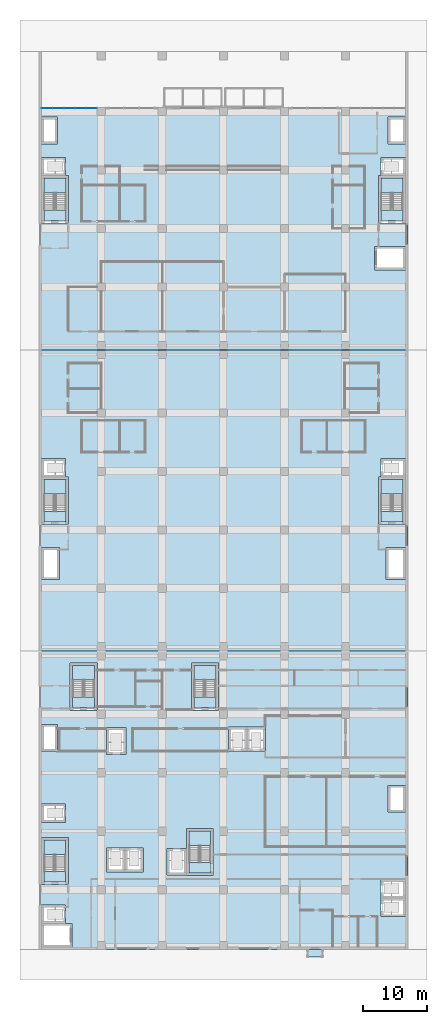
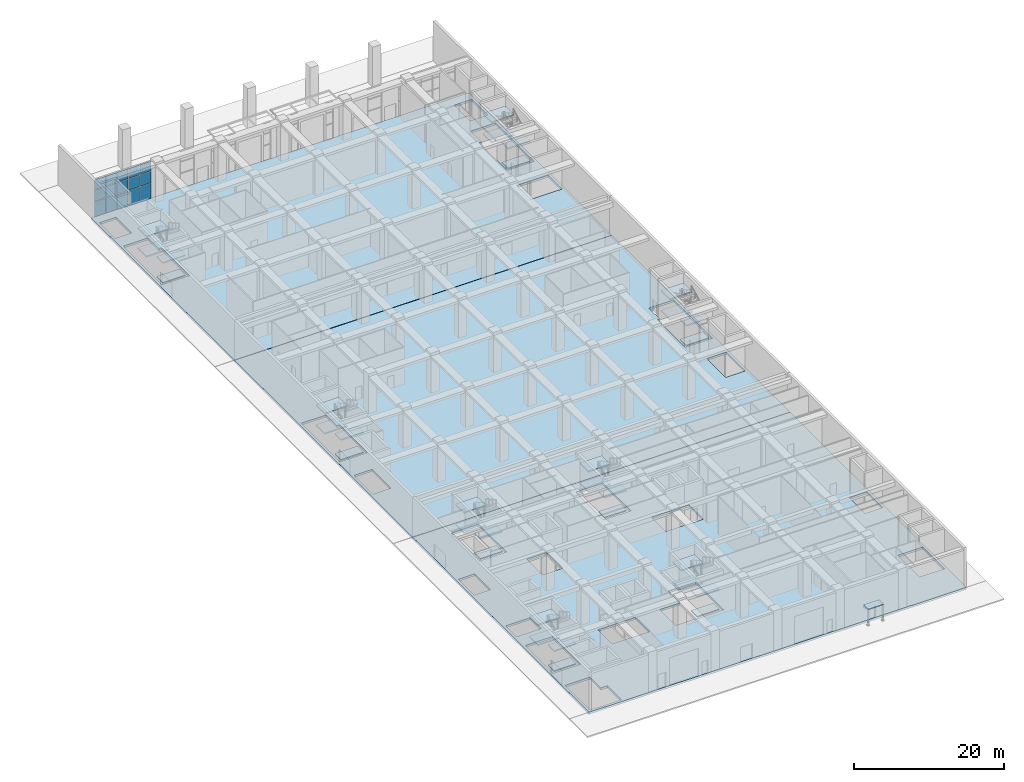
# One storey, part 12 of 45: 35 slabs, 16 plates, 9 elements without a shape of their own.
"""IFC4 building model written with IfcOpenShell, lengths in metres."""

import ifcopenshell
import ifcopenshell.guid

model = None  # the IFC model being written
_history = None  # IfcOwnerHistory: only IFC2X3 demands one
_inside = {}  # id of a spatial element -> (the spatial element, [elements in it])
_under = {}  # id of a project, library or spatial element -> (it, [spatial elements below it])
_declared = {}  # id of a project -> (the project, [libraries it declares])
_typed = {}  # id of a type object -> (the type object, [elements of that type])
_made_of = {}  # id of a material, layer set ... -> (it, [elements and type objects made of it])


def new_model(schema):
    """Start an empty IFC model of exactly this schema.

    Asked for "IFC4X3", IfcOpenShell would pick the latest addendum, in which some entities
    have other attributes; the version numbers below select the first issue.
    IFC2X3 requires an IfcOwnerHistory on every rooted entity: one is made here for all.
    """
    global model, _history
    if schema == "IFC4X3":
        model = ifcopenshell.file(schema_version=(4, 3, 0, 0))
    else:
        model = ifcopenshell.file(schema=schema)
    _inside.clear()
    _under.clear()
    _declared.clear()
    _typed.clear()
    _made_of.clear()
    _history = None
    if model.schema == "IFC2X3":
        org = make("IfcOrganization", Name="unknown")
        user = make(
            "IfcPersonAndOrganization",
            ThePerson=make("IfcPerson", FamilyName="unknown"),
            TheOrganization=org,
        )
        app = make(
            "IfcApplication",
            ApplicationDeveloper=org,
            Version="unknown",
            ApplicationFullName="unknown",
            ApplicationIdentifier="unknown",
        )
        _history = make(
            "IfcOwnerHistory",
            OwningUser=user,
            OwningApplication=app,
            ChangeAction="ADDED",
            CreationDate=0,
        )
    return model


def make(cls, **values):
    """One entity of the class cls with the attributes given. An attribute that is None is left unset."""
    return model.create_entity(
        cls, **{name: value for name, value in values.items() if value is not None}
    )


def rooted(cls, **values):
    """An entity with a GlobalId (a new one), such as an element, a storey or a relation."""
    return make(cls, GlobalId=ifcopenshell.guid.new(), OwnerHistory=_history, **values)


def si_unit(unit_type, name, prefix=None):
    """IfcSIUnit, for example si_unit("LENGTHUNIT", "METRE", prefix="MILLI")."""
    return make("IfcSIUnit", UnitType=unit_type, Prefix=prefix, Name=name)


def assignment(units):
    """IfcUnitAssignment: the units of a project."""
    return None if units is None else make("IfcUnitAssignment", Units=units)


def point(xyz):
    """IfcCartesianPoint."""
    return None if xyz is None else make("IfcCartesianPoint", Coordinates=xyz)


def direction(xyz):
    """IfcDirection."""
    return None if xyz is None else make("IfcDirection", DirectionRatios=xyz)


def frame(location, z_axis=None, x_axis=None):
    """IfcAxis2Placement3D, a coordinate frame: its origin and axes. An axis left out is left unset."""
    return make(
        "IfcAxis2Placement3D",
        Location=point(location),
        Axis=direction(z_axis),
        RefDirection=direction(x_axis),
    )


def frame_2d(location, x_axis=None):
    """IfcAxis2Placement2D, a coordinate frame in the plane: its origin and x axis."""
    return make(
        "IfcAxis2Placement2D", Location=point(location), RefDirection=direction(x_axis)
    )


def origin():
    """The frame at (0, 0, 0) with its axes left unset."""
    return frame((0.0, 0.0, 0.0))


def origin_2d():
    """The frame at (0, 0) in the plane with its x axis left unset."""
    return frame_2d((0.0, 0.0))


def place(relative_to, where):
    """IfcLocalPlacement: puts the frame where relative to a parent placement (None: the world)."""
    return make(
        "IfcLocalPlacement", PlacementRelTo=relative_to, RelativePlacement=where
    )


def context(
    kind, dimensions, precision=None, world=None, true_north=None, identifier=None
):
    """IfcGeometricRepresentationContext, for example the 3D "Model" context."""
    return make(
        "IfcGeometricRepresentationContext",
        ContextIdentifier=identifier,
        ContextType=kind,
        CoordinateSpaceDimension=dimensions,
        Precision=precision,
        WorldCoordinateSystem=world,
        TrueNorth=true_north,
    )


def subcontext(parent, identifier, kind, view, scale=None):
    """IfcGeometricRepresentationSubContext, for example "Body" below "Model"."""
    return make(
        "IfcGeometricRepresentationSubContext",
        ContextIdentifier=identifier,
        ContextType=kind,
        ParentContext=parent,
        TargetScale=scale,
        TargetView=view,
    )


def project(units=None, contexts=None):
    """IfcProject with its units and contexts."""
    return rooted(
        "IfcProject",
        Name="project",
        RepresentationContexts=contexts,
        UnitsInContext=assignment(units),
    )


def spatial(cls, under=None, at=None, **own):
    """A site, building, storey or space (cls), placed at a placement, below another one or the project."""
    s = rooted(cls, ObjectPlacement=at, **own)
    if under is not None:
        _under.setdefault(under.id(), (under, []))[1].append(s)
    return s


def polyline(points):
    """IfcPolyline through the points."""
    return make("IfcPolyline", Points=[point(p) for p in points])


def profile(cls, at=None, kind="AREA", **sizes):
    """A parametric profile (cls). Its sizes go by their IFC names, for example OverallWidth=200.0."""
    return make(cls, ProfileType=kind, Position=at, **sizes)


def rectangle(**sizes):
    """IfcRectangleProfileDef."""
    return profile("IfcRectangleProfileDef", **sizes)


def outline(outer, holes=None, kind="AREA"):
    """IfcArbitraryClosedProfileDef: a profile drawn as a closed curve; with holes, ...WithVoids."""
    if holes is None:
        return make("IfcArbitraryClosedProfileDef", ProfileType=kind, OuterCurve=outer)
    return make(
        "IfcArbitraryProfileDefWithVoids",
        ProfileType=kind,
        OuterCurve=outer,
        InnerCurves=holes,
    )


def extrude(swept, where, along, depth):
    """IfcExtrudedAreaSolid: the profile swept, set in the frame where, extruded along a direction by depth."""
    return make(
        "IfcExtrudedAreaSolid",
        SweptArea=swept,
        Position=where,
        ExtrudedDirection=direction(along),
        Depth=depth,
    )


def shape(context_of_items, identifier, shape_type, items):
    """IfcShapeRepresentation: the items that make up one representation, for example the "Body"."""
    return make(
        "IfcShapeRepresentation",
        ContextOfItems=context_of_items,
        RepresentationIdentifier=identifier,
        RepresentationType=shape_type,
        Items=items,
    )


def material(Name=None, Category=None):
    """IfcMaterial."""
    return make("IfcMaterial", Name=Name, Category=Category)


def layer(
    of_material, thickness, ventilated=None, Name=None, Category=None, Priority=None
):
    """IfcMaterialLayer: one layer of a wall or slab, of a material (None: an air gap)."""
    return make(
        "IfcMaterialLayer",
        Material=of_material,
        LayerThickness=thickness,
        IsVentilated=ventilated,
        Name=Name,
        Category=Category,
        Priority=Priority,
    )


def layer_set(layers, Name=None):
    """IfcMaterialLayerSet."""
    return make("IfcMaterialLayerSet", MaterialLayers=layers, LayerSetName=Name)


def made_of(thing, what):
    """Note that an element or type object is made of a material, layer set ...; save() writes the relation."""
    if what is not None:
        _made_of.setdefault(what.id(), (what, []))[1].append(thing)
    return thing


def type_object(cls, material=None, **own):
    """A type object (cls), such as IfcWallType, which elements share."""
    return made_of(rooted(cls, **own), material)


def element(
    cls,
    number,
    at=None,
    inside=None,
    cuts=None,
    type_object=None,
    material=None,
    context=None,
    identifier="Body",
    shape_type=None,
    held_by="IfcProductDefinitionShape",
    body=None,
    shapes=None,
    **own,
):
    """One element of the class cls, such as IfcWall. Its Tag is "e" and its number.

    at: its placement. inside: the storey or other place that contains it. cuts: it is an
    opening in that element (IfcRelVoidsElement). A single representation is given by context,
    identifier, shape_type and body (its items); several are given by shapes. held_by: the class
    of the entity that holds the representations. save() writes the other relations.
    """
    e = rooted(cls, Tag="e%d" % number, ObjectPlacement=at, **own)
    if body is not None:
        shapes = [shape(context, identifier, shape_type, body)]
    if shapes is not None:
        e.Representation = make(held_by, Representations=shapes)
    if inside is not None:
        _inside.setdefault(inside.id(), (inside, []))[1].append(e)
    if cuts is not None:
        rooted(
            "IfcRelVoidsElement", RelatingBuildingElement=cuts, RelatedOpeningElement=e
        )
    if type_object is not None:
        _typed.setdefault(type_object.id(), (type_object, []))[1].append(e)
    return made_of(e, material)


def aggregate(whole, parts):
    """IfcRelAggregates: a whole, such as a stair, and the parts it consists of."""
    return rooted("IfcRelAggregates", RelatingObject=whole, RelatedObjects=parts)


def save(model, path):
    """Write the relations noted so far, then the file.

    IfcRelAggregates (storeys below a building ...), IfcRelContainedInSpatialStructure (elements
    in a storey), IfcRelDefinesByType, IfcRelAssociatesMaterial and IfcRelDeclares: one each for
    every whole, place, type object, material and project.
    """
    for whole, parts in _under.values():
        aggregate(whole, parts)
    for where, things in _inside.values():
        rooted(
            "IfcRelContainedInSpatialStructure",
            RelatedElements=things,
            RelatingStructure=where,
        )
    for kind, things in _typed.values():
        rooted("IfcRelDefinesByType", RelatedObjects=things, RelatingType=kind)
    for what, things in _made_of.values():
        rooted("IfcRelAssociatesMaterial", RelatedObjects=things, RelatingMaterial=what)
    for by, libraries in _declared.values():
        rooted("IfcRelDeclares", RelatingContext=by, RelatedDefinitions=libraries)
    model.write(path)


model = new_model("IFC4")

# Units and contexts
model_context = context("Model", 3, precision=1e-05, world=origin(), true_north=direction((0.0, 1.0)))
body_context = subcontext(model_context, "Body", "Model", "MODEL_VIEW")
ifc_project = project(units=[si_unit("LENGTHUNIT", "METRE"), si_unit("AREAUNIT", "SQUARE_METRE"), si_unit("VOLUMEUNIT", "CUBIC_METRE"), si_unit("PLANEANGLEUNIT", "RADIAN"), si_unit("MASSUNIT", "GRAM", prefix="KILO")], contexts=[model_context])

# Site, building, storey
site_placement = place(None, origin())
site = spatial("IfcSite", under=ifc_project, at=site_placement, CompositionType="ELEMENT")
building_placement = place(site_placement, origin())
building = spatial("IfcBuilding", under=site, at=building_placement, Name="Nzadi Deep Aquarium and Research Tower", CompositionType="ELEMENT")
storey_placement = place(building_placement, origin())
storey = spatial("IfcBuildingStorey", under=building, at=storey_placement, Name="G", CompositionType="ELEMENT", Elevation=0.0)

# Plate
ifc_material_1 = material(Name="Aluminium composite panel, dark graphite", Category="aluminium")
ifc_layer_1 = layer(ifc_material_1, 0.14990234375)
ifc_layer_set_1 = layer_set([ifc_layer_1], Name="Aluminium composite panel, dark graphite")
plate_type_1 = type_object("IfcPlateType", Name="Canopy plate aluminium composite graphite 150", PredefinedType="SHEET", material=ifc_layer_set_1)
plate_1_placement = place(storey_placement, frame((43.199951171875, -0.800048828125, 2.550048828125), z_axis=(0.0, 0.0, 1.0), x_axis=(1.0, 0.0, 0.0)))
element("IfcPlate", 1, at=plate_1_placement, inside=storey, type_object=plate_type_1, Name="Staff entrance canopy", PredefinedType="SHEET", context=body_context, shape_type="SweptSolid", body=[
    extrude(rectangle(XDim=2.39990234375, YDim=1.199951171875, at=origin_2d()), origin(), (0.0, 0.0, 1.0), 0.14990234375),
])

# Curtain wall, plates
ifc_material_2 = material(Name="Aluminium stick frame", Category="aluminium")
ifc_layer_2 = layer(ifc_material_2, 0.25)
ifc_layer_set_2 = layer_set([ifc_layer_2], Name="Aluminium stick frame")
curtain_wall_type = type_object("IfcCurtainWallType", Name="Curtain wall Stick 250", PredefinedType="NOTDEFINED", material=ifc_layer_set_2)
curtain_wall_placement = place(storey_placement, origin())
curtain_wall = element("IfcCurtainWall", 2, at=curtain_wall_placement, inside=storey, type_object=curtain_wall_type, Name="Lobby stick glazing G", PredefinedType="NOTDEFINED")
ifc_material_3 = material(Name="Glass, deep ocean tint", Category="glass")
ifc_layer_3 = layer(ifc_material_3, 0.031982421875)
ifc_layer_set_3 = layer_set([ifc_layer_3], Name="Glass, deep ocean tint")
plate_type_2 = type_object("IfcPlateType", Name="Glazing panel 32 Stick", PredefinedType="CURTAIN_PANEL", material=ifc_layer_set_3)
plate_2_placement = place(storey_placement, frame((1.090087890625, 132.125, 0.06005859375), z_axis=(0.0, 0.0, 1.0), x_axis=(1.0, 0.0, 0.0)))
plate_2 = element("IfcPlate", 3, at=plate_2_placement, type_object=plate_type_2, Name="CW225 panel 1.1", PredefinedType="CURTAIN_PANEL", context=body_context, shape_type="SweptSolid", body=[
    extrude(rectangle(XDim=1.659912109375, YDim=0.031982421875, at=origin_2d()), origin(), (0.0, 0.0, 1.0), 2.4599609375),
])
plate_3_placement = place(storey_placement, frame((1.090087890625, 132.125, 2.580078125), z_axis=(0.0, 0.0, 1.0), x_axis=(1.0, 0.0, 0.0)))
plate_3 = element("IfcPlate", 4, at=plate_3_placement, type_object=plate_type_2, Name="CW225 panel 1.2", PredefinedType="CURTAIN_PANEL", context=body_context, shape_type="SweptSolid", body=[
    extrude(rectangle(XDim=1.659912109375, YDim=0.031982421875, at=origin_2d()), origin(), (0.0, 0.0, 1.0), 1.818115234375),
])
plate_4_placement = place(storey_placement, frame((1.090087890625, 132.125, 4.4580078125), z_axis=(0.0, 0.0, 1.0), x_axis=(1.0, 0.0, 0.0)))
plate_4 = element("IfcPlate", 5, at=plate_4_placement, type_object=plate_type_2, Name="CW225 panel 1.3", PredefinedType="CURTAIN_PANEL", context=body_context, shape_type="SweptSolid", body=[
    extrude(rectangle(XDim=1.659912109375, YDim=0.031982421875, at=origin_2d()), origin(), (0.0, 0.0, 1.0), 1.632080078125),
])
plate_5_placement = place(storey_placement, frame((2.824951171875, 132.125, 0.06005859375), z_axis=(0.0, 0.0, 1.0), x_axis=(1.0, 0.0, 0.0)))
plate_5 = element("IfcPlate", 6, at=plate_5_placement, type_object=plate_type_2, Name="CW225 panel 2.1", PredefinedType="CURTAIN_PANEL", context=body_context, shape_type="SweptSolid", body=[
    extrude(rectangle(XDim=1.68994140625, YDim=0.031982421875, at=origin_2d()), origin(), (0.0, 0.0, 1.0), 2.4599609375),
])
plate_6_placement = place(storey_placement, frame((2.824951171875, 132.125, 2.580078125), z_axis=(0.0, 0.0, 1.0), x_axis=(1.0, 0.0, 0.0)))
plate_6 = element("IfcPlate", 7, at=plate_6_placement, type_object=plate_type_2, Name="CW225 panel 2.2", PredefinedType="CURTAIN_PANEL", context=body_context, shape_type="SweptSolid", body=[
    extrude(rectangle(XDim=1.68994140625, YDim=0.031982421875, at=origin_2d()), origin(), (0.0, 0.0, 1.0), 1.818115234375),
])
plate_7_placement = place(storey_placement, frame((2.824951171875, 132.125, 4.4580078125), z_axis=(0.0, 0.0, 1.0), x_axis=(1.0, 0.0, 0.0)))
plate_7 = element("IfcPlate", 8, at=plate_7_placement, type_object=plate_type_2, Name="CW225 panel 2.3", PredefinedType="CURTAIN_PANEL", context=body_context, shape_type="SweptSolid", body=[
    extrude(rectangle(XDim=1.68994140625, YDim=0.031982421875, at=origin_2d()), origin(), (0.0, 0.0, 1.0), 1.632080078125),
])
plate_8_placement = place(storey_placement, frame((4.574951171875, 132.125, 0.06005859375), z_axis=(0.0, 0.0, 1.0), x_axis=(1.0, 0.0, 0.0)))
plate_8 = element("IfcPlate", 9, at=plate_8_placement, type_object=plate_type_2, Name="CW225 panel 3.1", PredefinedType="CURTAIN_PANEL", context=body_context, shape_type="SweptSolid", body=[
    extrude(rectangle(XDim=1.68994140625, YDim=0.031982421875, at=origin_2d()), origin(), (0.0, 0.0, 1.0), 2.4599609375),
])
plate_9_placement = place(storey_placement, frame((4.574951171875, 132.125, 2.580078125), z_axis=(0.0, 0.0, 1.0), x_axis=(1.0, 0.0, 0.0)))
plate_9 = element("IfcPlate", 10, at=plate_9_placement, type_object=plate_type_2, Name="CW225 panel 3.2", PredefinedType="CURTAIN_PANEL", context=body_context, shape_type="SweptSolid", body=[
    extrude(rectangle(XDim=1.68994140625, YDim=0.031982421875, at=origin_2d()), origin(), (0.0, 0.0, 1.0), 1.818115234375),
])
plate_10_placement = place(storey_placement, frame((4.574951171875, 132.125, 4.4580078125), z_axis=(0.0, 0.0, 1.0), x_axis=(1.0, 0.0, 0.0)))
plate_10 = element("IfcPlate", 11, at=plate_10_placement, type_object=plate_type_2, Name="CW225 panel 3.3", PredefinedType="CURTAIN_PANEL", context=body_context, shape_type="SweptSolid", body=[
    extrude(rectangle(XDim=1.68994140625, YDim=0.031982421875, at=origin_2d()), origin(), (0.0, 0.0, 1.0), 1.632080078125),
])
plate_11_placement = place(storey_placement, frame((6.324951171875, 132.125, 0.06005859375), z_axis=(0.0, 0.0, 1.0), x_axis=(1.0, 0.0, 0.0)))
plate_11 = element("IfcPlate", 12, at=plate_11_placement, type_object=plate_type_2, Name="CW225 panel 4.1", PredefinedType="CURTAIN_PANEL", context=body_context, shape_type="SweptSolid", body=[
    extrude(rectangle(XDim=1.68994140625, YDim=0.031982421875, at=origin_2d()), origin(), (0.0, 0.0, 1.0), 2.4599609375),
])
plate_12_placement = place(storey_placement, frame((6.324951171875, 132.125, 2.580078125), z_axis=(0.0, 0.0, 1.0), x_axis=(1.0, 0.0, 0.0)))
plate_12 = element("IfcPlate", 13, at=plate_12_placement, type_object=plate_type_2, Name="CW225 panel 4.2", PredefinedType="CURTAIN_PANEL", context=body_context, shape_type="SweptSolid", body=[
    extrude(rectangle(XDim=1.68994140625, YDim=0.031982421875, at=origin_2d()), origin(), (0.0, 0.0, 1.0), 1.818115234375),
])
plate_13_placement = place(storey_placement, frame((6.324951171875, 132.125, 4.4580078125), z_axis=(0.0, 0.0, 1.0), x_axis=(1.0, 0.0, 0.0)))
plate_13 = element("IfcPlate", 14, at=plate_13_placement, type_object=plate_type_2, Name="CW225 panel 4.3", PredefinedType="CURTAIN_PANEL", context=body_context, shape_type="SweptSolid", body=[
    extrude(rectangle(XDim=1.68994140625, YDim=0.031982421875, at=origin_2d()), origin(), (0.0, 0.0, 1.0), 1.632080078125),
])
plate_14_placement = place(storey_placement, frame((8.06005859375, 132.125, 0.06005859375), z_axis=(0.0, 0.0, 1.0), x_axis=(1.0, 0.0, 0.0)))
plate_14 = element("IfcPlate", 15, at=plate_14_placement, type_object=plate_type_2, Name="CW225 panel 5.1", PredefinedType="CURTAIN_PANEL", context=body_context, shape_type="SweptSolid", body=[
    extrude(rectangle(XDim=1.659912109375, YDim=0.031982421875, at=origin_2d()), origin(), (0.0, 0.0, 1.0), 2.4599609375),
])
plate_15_placement = place(storey_placement, frame((8.06005859375, 132.125, 2.580078125), z_axis=(0.0, 0.0, 1.0), x_axis=(1.0, 0.0, 0.0)))
plate_15 = element("IfcPlate", 16, at=plate_15_placement, type_object=plate_type_2, Name="CW225 panel 5.2", PredefinedType="CURTAIN_PANEL", context=body_context, shape_type="SweptSolid", body=[
    extrude(rectangle(XDim=1.659912109375, YDim=0.031982421875, at=origin_2d()), origin(), (0.0, 0.0, 1.0), 1.818115234375),
])
plate_16_placement = place(storey_placement, frame((8.06005859375, 132.125, 4.4580078125), z_axis=(0.0, 0.0, 1.0), x_axis=(1.0, 0.0, 0.0)))
plate_16 = element("IfcPlate", 17, at=plate_16_placement, type_object=plate_type_2, Name="CW225 panel 5.3", PredefinedType="CURTAIN_PANEL", context=body_context, shape_type="SweptSolid", body=[
    extrude(rectangle(XDim=1.659912109375, YDim=0.031982421875, at=origin_2d()), origin(), (0.0, 0.0, 1.0), 1.632080078125),
])
aggregate(curtain_wall, [plate_2, plate_3, plate_4, plate_5, plate_6, plate_7, plate_8, plate_9, plate_10, plate_11, plate_12, plate_13, plate_14, plate_15, plate_16])

# Stair, slabs
ifc_material_4 = material(Name="Concrete C35/45", Category="concrete")
stair_type = type_object("IfcStairType", Name="STAIR RETURN 3000", PredefinedType="NOTDEFINED", material=ifc_material_4)
stair_1_placement = place(storey_placement, origin())
stair_1 = element("IfcStair", 18, at=stair_1_placement, inside=storey, type_object=stair_type, Name="Stair ST-Z1-SW G", PredefinedType="DOUBLE_RETURN_STAIR")
ifc_material_5 = material(Name="Concrete C35/45", Category="concrete")
ifc_layer_4 = layer(ifc_material_5, 0.199951171875)
ifc_layer_set_4 = layer_set([ifc_layer_4], Name="Concrete C35/45")
slab_type_1 = type_object("IfcSlabType", Name="LANDING 200", PredefinedType="LANDING", material=ifc_layer_set_4)
slab_1_placement = place(storey_placement, frame((0.0, 0.0, -0.199951171875)))
slab_1 = element("IfcSlab", 19, at=slab_1_placement, type_object=slab_type_1, Name="ST-Z1-SW landing 1", PredefinedType="LANDING", context=body_context, shape_type="SweptSolid", body=[
    extrude(outline(polyline([(0.60009765625, 10.449951171875), (4.0, 10.449951171875), (4.0, 12.070068359375), (0.60009765625, 12.070068359375), (0.60009765625, 10.449951171875)])), origin(), (0.0, 0.0, 1.0), 0.199951171875),
])
slab_2_placement = place(storey_placement, frame((0.0, 0.0, 1.425048828125)))
slab_2 = element("IfcSlab", 20, at=slab_2_placement, type_object=slab_type_1, Name="ST-Z1-SW landing 2", PredefinedType="LANDING", context=body_context, shape_type="SweptSolid", body=[
    extrude(outline(polyline([(0.60009765625, 14.77001953125), (4.0, 14.77001953125), (4.0, 17.050048828125), (0.60009765625, 17.050048828125), (0.60009765625, 14.77001953125)])), origin(), (0.0, 0.0, 1.0), 0.199951171875),
])
slab_3_placement = place(storey_placement, frame((0.0, 0.0, 3.050048828125)))
slab_3 = element("IfcSlab", 21, at=slab_3_placement, type_object=slab_type_1, Name="ST-Z1-SW landing 3", PredefinedType="LANDING", context=body_context, shape_type="SweptSolid", body=[
    extrude(outline(polyline([(0.60009765625, 10.449951171875), (4.0, 10.449951171875), (4.0, 12.070068359375), (0.60009765625, 12.070068359375), (0.60009765625, 10.449951171875)])), origin(), (0.0, 0.0, 1.0), 0.199951171875),
])
slab_4_placement = place(storey_placement, frame((0.0, 0.0, 4.675048828125)))
slab_4 = element("IfcSlab", 22, at=slab_4_placement, type_object=slab_type_1, Name="ST-Z1-SW landing 4", PredefinedType="LANDING", context=body_context, shape_type="SweptSolid", body=[
    extrude(outline(polyline([(0.60009765625, 14.77001953125), (4.0, 14.77001953125), (4.0, 17.050048828125), (0.60009765625, 17.050048828125), (0.60009765625, 14.77001953125)])), origin(), (0.0, 0.0, 1.0), 0.199951171875),
])
aggregate(stair_1, [slab_1, slab_2, slab_3, slab_4])

stair_2_placement = place(storey_placement, origin())
stair_2 = element("IfcStair", 23, at=stair_2_placement, inside=storey, type_object=stair_type, Name="Stair ST-Z1-SE G", PredefinedType="DOUBLE_RETURN_STAIR")
slab_5_placement = place(storey_placement, frame((0.0, 0.0, -0.199951171875)))
slab_5 = element("IfcSlab", 24, at=slab_5_placement, type_object=slab_type_1, Name="ST-Z1-SE landing 1", PredefinedType="LANDING", context=body_context, shape_type="SweptSolid", body=[
    extrude(outline(polyline([(23.39990234375, 11.85009765625), (26.800048828125, 11.85009765625), (26.800048828125, 13.469970703125), (23.39990234375, 13.469970703125), (23.39990234375, 11.85009765625)])), origin(), (0.0, 0.0, 1.0), 0.199951171875),
])
slab_6_placement = place(storey_placement, frame((0.0, 0.0, 1.425048828125)))
slab_6 = element("IfcSlab", 25, at=slab_6_placement, type_object=slab_type_1, Name="ST-Z1-SE landing 2", PredefinedType="LANDING", context=body_context, shape_type="SweptSolid", body=[
    extrude(outline(polyline([(23.39990234375, 16.169921875), (26.800048828125, 16.169921875), (26.800048828125, 18.449951171875), (23.39990234375, 18.449951171875), (23.39990234375, 16.169921875)])), origin(), (0.0, 0.0, 1.0), 0.199951171875),
])
slab_7_placement = place(storey_placement, frame((0.0, 0.0, 3.050048828125)))
slab_7 = element("IfcSlab", 26, at=slab_7_placement, type_object=slab_type_1, Name="ST-Z1-SE landing 3", PredefinedType="LANDING", context=body_context, shape_type="SweptSolid", body=[
    extrude(outline(polyline([(23.39990234375, 11.85009765625), (26.800048828125, 11.85009765625), (26.800048828125, 13.469970703125), (23.39990234375, 13.469970703125), (23.39990234375, 11.85009765625)])), origin(), (0.0, 0.0, 1.0), 0.199951171875),
])
slab_8_placement = place(storey_placement, frame((0.0, 0.0, 4.675048828125)))
slab_8 = element("IfcSlab", 27, at=slab_8_placement, type_object=slab_type_1, Name="ST-Z1-SE landing 4", PredefinedType="LANDING", context=body_context, shape_type="SweptSolid", body=[
    extrude(outline(polyline([(23.39990234375, 16.169921875), (26.800048828125, 16.169921875), (26.800048828125, 18.449951171875), (23.39990234375, 18.449951171875), (23.39990234375, 16.169921875)])), origin(), (0.0, 0.0, 1.0), 0.199951171875),
])
aggregate(stair_2, [slab_5, slab_6, slab_7, slab_8])

stair_3_placement = place(storey_placement, origin())
stair_3 = element("IfcStair", 28, at=stair_3_placement, inside=storey, type_object=stair_type, Name="Stair ST-Z1-NW G", PredefinedType="DOUBLE_RETURN_STAIR")
slab_9_placement = place(storey_placement, frame((0.0, 0.0, -0.199951171875)))
slab_9 = element("IfcSlab", 29, at=slab_9_placement, type_object=slab_type_1, Name="ST-Z1-NW landing 1", PredefinedType="LANDING", context=body_context, shape_type="SweptSolid", body=[
    extrude(outline(polyline([(5.10009765625, 37.89990234375), (8.5, 37.89990234375), (8.5, 39.52001953125), (5.10009765625, 39.52001953125), (5.10009765625, 37.89990234375)])), origin(), (0.0, 0.0, 1.0), 0.199951171875),
])
slab_10_placement = place(storey_placement, frame((0.0, 0.0, 1.425048828125)))
slab_10 = element("IfcSlab", 30, at=slab_10_placement, type_object=slab_type_1, Name="ST-Z1-NW landing 2", PredefinedType="LANDING", context=body_context, shape_type="SweptSolid", body=[
    extrude(outline(polyline([(5.10009765625, 42.219970703125), (8.5, 42.219970703125), (8.5, 44.5), (5.10009765625, 44.5), (5.10009765625, 42.219970703125)])), origin(), (0.0, 0.0, 1.0), 0.199951171875),
])
slab_11_placement = place(storey_placement, frame((0.0, 0.0, 3.050048828125)))
slab_11 = element("IfcSlab", 31, at=slab_11_placement, type_object=slab_type_1, Name="ST-Z1-NW landing 3", PredefinedType="LANDING", context=body_context, shape_type="SweptSolid", body=[
    extrude(outline(polyline([(5.10009765625, 37.89990234375), (8.5, 37.89990234375), (8.5, 39.52001953125), (5.10009765625, 39.52001953125), (5.10009765625, 37.89990234375)])), origin(), (0.0, 0.0, 1.0), 0.199951171875),
])
slab_12_placement = place(storey_placement, frame((0.0, 0.0, 4.675048828125)))
slab_12 = element("IfcSlab", 32, at=slab_12_placement, type_object=slab_type_1, Name="ST-Z1-NW landing 4", PredefinedType="LANDING", context=body_context, shape_type="SweptSolid", body=[
    extrude(outline(polyline([(5.10009765625, 42.219970703125), (8.5, 42.219970703125), (8.5, 44.5), (5.10009765625, 44.5), (5.10009765625, 42.219970703125)])), origin(), (0.0, 0.0, 1.0), 0.199951171875),
])
aggregate(stair_3, [slab_9, slab_10, slab_11, slab_12])

stair_4_placement = place(storey_placement, origin())
stair_4 = element("IfcStair", 33, at=stair_4_placement, inside=storey, type_object=stair_type, Name="Stair ST-Z1-NE G", PredefinedType="DOUBLE_RETURN_STAIR")
slab_13_placement = place(storey_placement, frame((0.0, 0.0, -0.199951171875)))
slab_13 = element("IfcSlab", 34, at=slab_13_placement, type_object=slab_type_1, Name="ST-Z1-NE landing 1", PredefinedType="LANDING", context=body_context, shape_type="SweptSolid", body=[
    extrude(outline(polyline([(24.199951171875, 37.89990234375), (27.60009765625, 37.89990234375), (27.60009765625, 39.52001953125), (24.199951171875, 39.52001953125), (24.199951171875, 37.89990234375)])), origin(), (0.0, 0.0, 1.0), 0.199951171875),
])
slab_14_placement = place(storey_placement, frame((0.0, 0.0, 1.425048828125)))
slab_14 = element("IfcSlab", 35, at=slab_14_placement, type_object=slab_type_1, Name="ST-Z1-NE landing 2", PredefinedType="LANDING", context=body_context, shape_type="SweptSolid", body=[
    extrude(outline(polyline([(24.199951171875, 42.219970703125), (27.60009765625, 42.219970703125), (27.60009765625, 44.5), (24.199951171875, 44.5), (24.199951171875, 42.219970703125)])), origin(), (0.0, 0.0, 1.0), 0.199951171875),
])
slab_15_placement = place(storey_placement, frame((0.0, 0.0, 3.050048828125)))
slab_15 = element("IfcSlab", 36, at=slab_15_placement, type_object=slab_type_1, Name="ST-Z1-NE landing 3", PredefinedType="LANDING", context=body_context, shape_type="SweptSolid", body=[
    extrude(outline(polyline([(24.199951171875, 37.89990234375), (27.60009765625, 37.89990234375), (27.60009765625, 39.52001953125), (24.199951171875, 39.52001953125), (24.199951171875, 37.89990234375)])), origin(), (0.0, 0.0, 1.0), 0.199951171875),
])
slab_16_placement = place(storey_placement, frame((0.0, 0.0, 4.675048828125)))
slab_16 = element("IfcSlab", 37, at=slab_16_placement, type_object=slab_type_1, Name="ST-Z1-NE landing 4", PredefinedType="LANDING", context=body_context, shape_type="SweptSolid", body=[
    extrude(outline(polyline([(24.199951171875, 42.219970703125), (27.60009765625, 42.219970703125), (27.60009765625, 44.5), (24.199951171875, 44.5), (24.199951171875, 42.219970703125)])), origin(), (0.0, 0.0, 1.0), 0.199951171875),
])
aggregate(stair_4, [slab_13, slab_14, slab_15, slab_16])

stair_5_placement = place(storey_placement, origin())
stair_5 = element("IfcStair", 38, at=stair_5_placement, inside=storey, type_object=stair_type, Name="Stair ST-Z2-W G", PredefinedType="DOUBLE_RETURN_STAIR")
slab_17_placement = place(storey_placement, frame((0.0, 0.0, -0.199951171875)))
slab_17 = element("IfcSlab", 39, at=slab_17_placement, type_object=slab_type_1, Name="ST-Z2-W landing 1", PredefinedType="LANDING", context=body_context, shape_type="SweptSolid", body=[
    extrude(outline(polyline([(0.550048828125, 67.050048828125), (4.050048828125, 67.050048828125), (4.050048828125, 68.7099609375), (0.550048828125, 68.7099609375), (0.550048828125, 67.050048828125)])), origin(), (0.0, 0.0, 1.0), 0.199951171875),
])
slab_18_placement = place(storey_placement, frame((0.0, 0.0, 1.425048828125)))
slab_18 = element("IfcSlab", 40, at=slab_18_placement, type_object=slab_type_1, Name="ST-Z2-W landing 2", PredefinedType="LANDING", context=body_context, shape_type="SweptSolid", body=[
    extrude(outline(polyline([(0.550048828125, 71.409912109375), (4.050048828125, 71.409912109375), (4.050048828125, 73.75), (0.550048828125, 73.75), (0.550048828125, 71.409912109375)])), origin(), (0.0, 0.0, 1.0), 0.199951171875),
])
slab_19_placement = place(storey_placement, frame((0.0, 0.0, 3.050048828125)))
slab_19 = element("IfcSlab", 41, at=slab_19_placement, type_object=slab_type_1, Name="ST-Z2-W landing 3", PredefinedType="LANDING", context=body_context, shape_type="SweptSolid", body=[
    extrude(outline(polyline([(0.550048828125, 67.050048828125), (4.050048828125, 67.050048828125), (4.050048828125, 68.7099609375), (0.550048828125, 68.7099609375), (0.550048828125, 67.050048828125)])), origin(), (0.0, 0.0, 1.0), 0.199951171875),
])
slab_20_placement = place(storey_placement, frame((0.0, 0.0, 4.675048828125)))
slab_20 = element("IfcSlab", 42, at=slab_20_placement, type_object=slab_type_1, Name="ST-Z2-W landing 4", PredefinedType="LANDING", context=body_context, shape_type="SweptSolid", body=[
    extrude(outline(polyline([(0.550048828125, 71.409912109375), (4.050048828125, 71.409912109375), (4.050048828125, 73.75), (0.550048828125, 73.75), (0.550048828125, 71.409912109375)])), origin(), (0.0, 0.0, 1.0), 0.199951171875),
])
aggregate(stair_5, [slab_17, slab_18, slab_19, slab_20])

stair_6_placement = place(storey_placement, origin())
stair_6 = element("IfcStair", 43, at=stair_6_placement, inside=storey, type_object=stair_type, Name="Stair ST-Z2-E G", PredefinedType="DOUBLE_RETURN_STAIR")
slab_21_placement = place(storey_placement, frame((0.0, 0.0, -0.199951171875)))
slab_21 = element("IfcSlab", 44, at=slab_21_placement, type_object=slab_type_1, Name="ST-Z2-E landing 1", PredefinedType="LANDING", context=body_context, shape_type="SweptSolid", body=[
    extrude(outline(polyline([(57.050048828125, 68.7099609375), (53.550048828125, 68.7099609375), (53.550048828125, 67.050048828125), (57.050048828125, 67.050048828125), (57.050048828125, 68.7099609375)])), origin(), (0.0, 0.0, 1.0), 0.199951171875),
])
slab_22_placement = place(storey_placement, frame((0.0, 0.0, 1.425048828125)))
slab_22 = element("IfcSlab", 45, at=slab_22_placement, type_object=slab_type_1, Name="ST-Z2-E landing 2", PredefinedType="LANDING", context=body_context, shape_type="SweptSolid", body=[
    extrude(outline(polyline([(57.050048828125, 73.75), (53.550048828125, 73.75), (53.550048828125, 71.409912109375), (57.050048828125, 71.409912109375), (57.050048828125, 73.75)])), origin(), (0.0, 0.0, 1.0), 0.199951171875),
])
slab_23_placement = place(storey_placement, frame((0.0, 0.0, 3.050048828125)))
slab_23 = element("IfcSlab", 46, at=slab_23_placement, type_object=slab_type_1, Name="ST-Z2-E landing 3", PredefinedType="LANDING", context=body_context, shape_type="SweptSolid", body=[
    extrude(outline(polyline([(57.050048828125, 68.7099609375), (53.550048828125, 68.7099609375), (53.550048828125, 67.050048828125), (57.050048828125, 67.050048828125), (57.050048828125, 68.7099609375)])), origin(), (0.0, 0.0, 1.0), 0.199951171875),
])
slab_24_placement = place(storey_placement, frame((0.0, 0.0, 4.675048828125)))
slab_24 = element("IfcSlab", 47, at=slab_24_placement, type_object=slab_type_1, Name="ST-Z2-E landing 4", PredefinedType="LANDING", context=body_context, shape_type="SweptSolid", body=[
    extrude(outline(polyline([(57.050048828125, 73.75), (53.550048828125, 73.75), (53.550048828125, 71.409912109375), (57.050048828125, 71.409912109375), (57.050048828125, 73.75)])), origin(), (0.0, 0.0, 1.0), 0.199951171875),
])
aggregate(stair_6, [slab_21, slab_22, slab_23, slab_24])

stair_7_placement = place(storey_placement, origin())
stair_7 = element("IfcStair", 48, at=stair_7_placement, inside=storey, type_object=stair_type, Name="Stair ST-Z3-W G", PredefinedType="DOUBLE_RETURN_STAIR")
slab_25_placement = place(storey_placement, frame((0.0, 0.0, -0.199951171875)))
slab_25 = element("IfcSlab", 49, at=slab_25_placement, type_object=slab_type_1, Name="ST-Z3-W landing 1", PredefinedType="LANDING", context=body_context, shape_type="SweptSolid", body=[
    extrude(outline(polyline([(0.550048828125, 114.449951171875), (4.050048828125, 114.449951171875), (4.050048828125, 116.110107421875), (0.550048828125, 116.110107421875), (0.550048828125, 114.449951171875)])), origin(), (0.0, 0.0, 1.0), 0.199951171875),
])
slab_26_placement = place(storey_placement, frame((0.0, 0.0, 1.425048828125)))
slab_26 = element("IfcSlab", 50, at=slab_26_placement, type_object=slab_type_1, Name="ST-Z3-W landing 2", PredefinedType="LANDING", context=body_context, shape_type="SweptSolid", body=[
    extrude(outline(polyline([(0.550048828125, 118.81005859375), (4.050048828125, 118.81005859375), (4.050048828125, 121.14990234375), (0.550048828125, 121.14990234375), (0.550048828125, 118.81005859375)])), origin(), (0.0, 0.0, 1.0), 0.199951171875),
])
slab_27_placement = place(storey_placement, frame((0.0, 0.0, 3.050048828125)))
slab_27 = element("IfcSlab", 51, at=slab_27_placement, type_object=slab_type_1, Name="ST-Z3-W landing 3", PredefinedType="LANDING", context=body_context, shape_type="SweptSolid", body=[
    extrude(outline(polyline([(0.550048828125, 114.449951171875), (4.050048828125, 114.449951171875), (4.050048828125, 116.110107421875), (0.550048828125, 116.110107421875), (0.550048828125, 114.449951171875)])), origin(), (0.0, 0.0, 1.0), 0.199951171875),
])
slab_28_placement = place(storey_placement, frame((0.0, 0.0, 4.675048828125)))
slab_28 = element("IfcSlab", 52, at=slab_28_placement, type_object=slab_type_1, Name="ST-Z3-W landing 4", PredefinedType="LANDING", context=body_context, shape_type="SweptSolid", body=[
    extrude(outline(polyline([(0.550048828125, 118.81005859375), (4.050048828125, 118.81005859375), (4.050048828125, 121.14990234375), (0.550048828125, 121.14990234375), (0.550048828125, 118.81005859375)])), origin(), (0.0, 0.0, 1.0), 0.199951171875),
])
aggregate(stair_7, [slab_25, slab_26, slab_27, slab_28])

stair_8_placement = place(storey_placement, origin())
stair_8 = element("IfcStair", 53, at=stair_8_placement, inside=storey, type_object=stair_type, Name="Stair ST-Z3-E G", PredefinedType="DOUBLE_RETURN_STAIR")
slab_29_placement = place(storey_placement, frame((0.0, 0.0, -0.199951171875)))
slab_29 = element("IfcSlab", 54, at=slab_29_placement, type_object=slab_type_1, Name="ST-Z3-E landing 1", PredefinedType="LANDING", context=body_context, shape_type="SweptSolid", body=[
    extrude(outline(polyline([(57.050048828125, 116.110107421875), (53.550048828125, 116.110107421875), (53.550048828125, 114.449951171875), (57.050048828125, 114.449951171875), (57.050048828125, 116.110107421875)])), origin(), (0.0, 0.0, 1.0), 0.199951171875),
])
slab_30_placement = place(storey_placement, frame((0.0, 0.0, 1.425048828125)))
slab_30 = element("IfcSlab", 55, at=slab_30_placement, type_object=slab_type_1, Name="ST-Z3-E landing 2", PredefinedType="LANDING", context=body_context, shape_type="SweptSolid", body=[
    extrude(outline(polyline([(57.050048828125, 121.14990234375), (53.550048828125, 121.14990234375), (53.550048828125, 118.81005859375), (57.050048828125, 118.81005859375), (57.050048828125, 121.14990234375)])), origin(), (0.0, 0.0, 1.0), 0.199951171875),
])
slab_31_placement = place(storey_placement, frame((0.0, 0.0, 3.050048828125)))
slab_31 = element("IfcSlab", 56, at=slab_31_placement, type_object=slab_type_1, Name="ST-Z3-E landing 3", PredefinedType="LANDING", context=body_context, shape_type="SweptSolid", body=[
    extrude(outline(polyline([(57.050048828125, 116.110107421875), (53.550048828125, 116.110107421875), (53.550048828125, 114.449951171875), (57.050048828125, 114.449951171875), (57.050048828125, 116.110107421875)])), origin(), (0.0, 0.0, 1.0), 0.199951171875),
])
slab_32_placement = place(storey_placement, frame((0.0, 0.0, 4.675048828125)))
slab_32 = element("IfcSlab", 57, at=slab_32_placement, type_object=slab_type_1, Name="ST-Z3-E landing 4", PredefinedType="LANDING", context=body_context, shape_type="SweptSolid", body=[
    extrude(outline(polyline([(57.050048828125, 121.14990234375), (53.550048828125, 121.14990234375), (53.550048828125, 118.81005859375), (57.050048828125, 118.81005859375), (57.050048828125, 121.14990234375)])), origin(), (0.0, 0.0, 1.0), 0.199951171875),
])
aggregate(stair_8, [slab_29, slab_30, slab_31, slab_32])

# Slabs
ifc_material_6 = material(Name="Concrete C35/45", Category="concrete")
ifc_layer_5 = layer(ifc_material_6, 0.35009765625)
ifc_layer_set_5 = layer_set([ifc_layer_5], Name="Concrete C35/45")
slab_type_2 = type_object("IfcSlabType", Name="RC floor slab 350", PredefinedType="FLOOR", material=ifc_layer_set_5)
slab_33_placement = place(storey_placement, frame((0.0, 0.0, -0.35009765625)))
element("IfcSlab", 58, at=slab_33_placement, inside=storey, type_object=slab_type_2, Name="Floor slab Z1 G", PredefinedType="FLOOR", context=body_context, shape_type="SweptSolid", body=[
    extrude(outline(polyline([(-0.199462890625, -0.199951171875), (57.799560546875, -0.199951171875), (57.799560546875, 46.679931640625), (-0.199462890625, 46.679931640625), (-0.199462890625, -0.199951171875)]), holes=[polyline([(4.39990234375, 17.449951171875), (4.39990234375, 10.050048828125), (0.199951171875, 10.050048828125), (0.199951171875, 17.449951171875), (4.39990234375, 17.449951171875)]), polyline([(19.89990234375, 15.699951171875), (23.0, 15.699951171875), (23.0, 18.85009765625), (27.199951171875, 18.85009765625), (27.199951171875, 11.449951171875), (23.0, 11.449951171875), (23.0, 11.5), (19.89990234375, 11.5), (19.89990234375, 15.699951171875)]), polyline([(4.699951171875, 37.5), (4.699951171875, 44.89990234375), (8.89990234375, 44.89990234375), (8.89990234375, 37.5), (4.699951171875, 37.5)]), polyline([(23.800048828125, 44.89990234375), (28.0, 44.89990234375), (28.0, 37.5), (23.800048828125, 37.5), (23.800048828125, 44.89990234375)]), polyline([(0.199951171875, 0.199951171875), (0.199951171875, 3.89990234375), (0.199951171875, 6.800048828125), (4.0, 6.800048828125), (4.0, 3.89990234375), (5.0, 3.89990234375), (5.0, 0.199951171875), (0.199951171875, 0.199951171875)]), polyline([(0.199951171875, 19.800048828125), (0.199951171875, 22.699951171875), (4.0, 22.699951171875), (4.0, 19.800048828125), (0.199951171875, 19.800048828125)]), polyline([(57.39990234375, 7.89990234375), (57.39990234375, 5.0), (53.60009765625, 5.0), (53.60009765625, 7.89990234375), (53.60009765625, 10.800048828125), (57.39990234375, 10.800048828125), (57.39990234375, 7.89990234375)]), polyline([(2.699951171875, 31.0), (0.199951171875, 31.0), (0.199951171875, 35.199951171875), (2.699951171875, 35.199951171875), (2.699951171875, 31.0)]), polyline([(54.699951171875, 21.39990234375), (54.699951171875, 25.60009765625), (57.39990234375, 25.60009765625), (57.39990234375, 21.39990234375), (54.699951171875, 21.39990234375)]), polyline([(16.199951171875, 15.800048828125), (16.199951171875, 12.0), (13.300048828125, 12.0), (10.39990234375, 12.0), (10.39990234375, 15.800048828125), (13.300048828125, 15.800048828125), (16.199951171875, 15.800048828125)]), polyline([(10.39990234375, 30.5), (10.39990234375, 34.699951171875), (13.5, 34.699951171875), (13.5, 30.5), (10.39990234375, 30.5)]), polyline([(29.60009765625, 34.800048828125), (32.5, 34.800048828125), (35.39990234375, 34.800048828125), (35.39990234375, 31.0), (32.5, 31.0), (29.60009765625, 31.0), (29.60009765625, 34.800048828125)])]), origin(), (0.0, 0.0, 1.0), 0.35009765625),
])
slab_34_placement = place(storey_placement, frame((0.0, 0.0, -0.35009765625)))
element("IfcSlab", 59, at=slab_34_placement, inside=storey, type_object=slab_type_2, Name="Floor slab Z2 G", PredefinedType="FLOOR", context=body_context, shape_type="SweptSolid", body=[
    extrude(outline(polyline([(-0.199462890625, 94.080078125), (-0.199462890625, 46.719970703125), (57.799560546875, 46.719970703125), (57.799560546875, 94.080078125), (-0.199462890625, 94.080078125)]), holes=[polyline([(4.0, 74.10009765625), (4.39990234375, 74.10009765625), (4.39990234375, 66.699951171875), (0.199951171875, 66.699951171875), (0.199951171875, 74.10009765625), (0.199951171875, 77.0), (4.0, 77.0), (4.0, 74.10009765625)]), polyline([(57.39990234375, 74.10009765625), (57.39990234375, 66.699951171875), (53.199951171875, 66.699951171875), (53.199951171875, 74.10009765625), (53.60009765625, 74.10009765625), (53.60009765625, 77.0), (57.39990234375, 77.0), (57.39990234375, 74.10009765625)]), polyline([(0.199951171875, 63.0), (3.0, 63.0), (3.0, 58.0), (0.199951171875, 58.0), (0.199951171875, 63.0)]), polyline([(57.39990234375, 63.0), (57.39990234375, 58.0), (54.39990234375, 58.0), (54.39990234375, 63.0), (57.39990234375, 63.0)])]), origin(), (0.0, 0.0, 1.0), 0.35009765625),
])
slab_35_placement = place(storey_placement, frame((0.0, 0.0, -0.35009765625)))
element("IfcSlab", 60, at=slab_35_placement, inside=storey, type_object=slab_type_2, Name="Floor slab Z3 G", PredefinedType="FLOOR", context=body_context, shape_type="SweptSolid", body=[
    extrude(outline(polyline([(57.799560546875, 132.25), (-0.199462890625, 132.25), (-0.199462890625, 94.1201171875), (57.799560546875, 94.1201171875), (57.799560546875, 132.25)]), holes=[polyline([(4.0, 124.39990234375), (4.0, 121.5), (4.39990234375, 121.5), (4.39990234375, 114.10009765625), (0.199951171875, 114.10009765625), (0.199951171875, 121.5), (0.199951171875, 124.39990234375), (4.0, 124.39990234375)]), polyline([(57.39990234375, 124.39990234375), (57.39990234375, 121.5), (57.39990234375, 114.10009765625), (53.199951171875, 114.10009765625), (53.199951171875, 121.5), (53.60009765625, 121.5), (53.60009765625, 124.39990234375), (57.39990234375, 124.39990234375)]), polyline([(52.60009765625, 106.699951171875), (52.60009765625, 110.39990234375), (57.39990234375, 110.39990234375), (57.39990234375, 106.699951171875), (52.60009765625, 106.699951171875)]), polyline([(0.199951171875, 130.699951171875), (2.699951171875, 130.699951171875), (2.699951171875, 126.5), (0.199951171875, 126.5), (0.199951171875, 130.699951171875)]), polyline([(57.39990234375, 130.699951171875), (57.39990234375, 126.5), (54.699951171875, 126.5), (54.699951171875, 130.699951171875), (57.39990234375, 130.699951171875)])]), origin(), (0.0, 0.0, 1.0), 0.35009765625),
])

save(model, "model.ifc")
